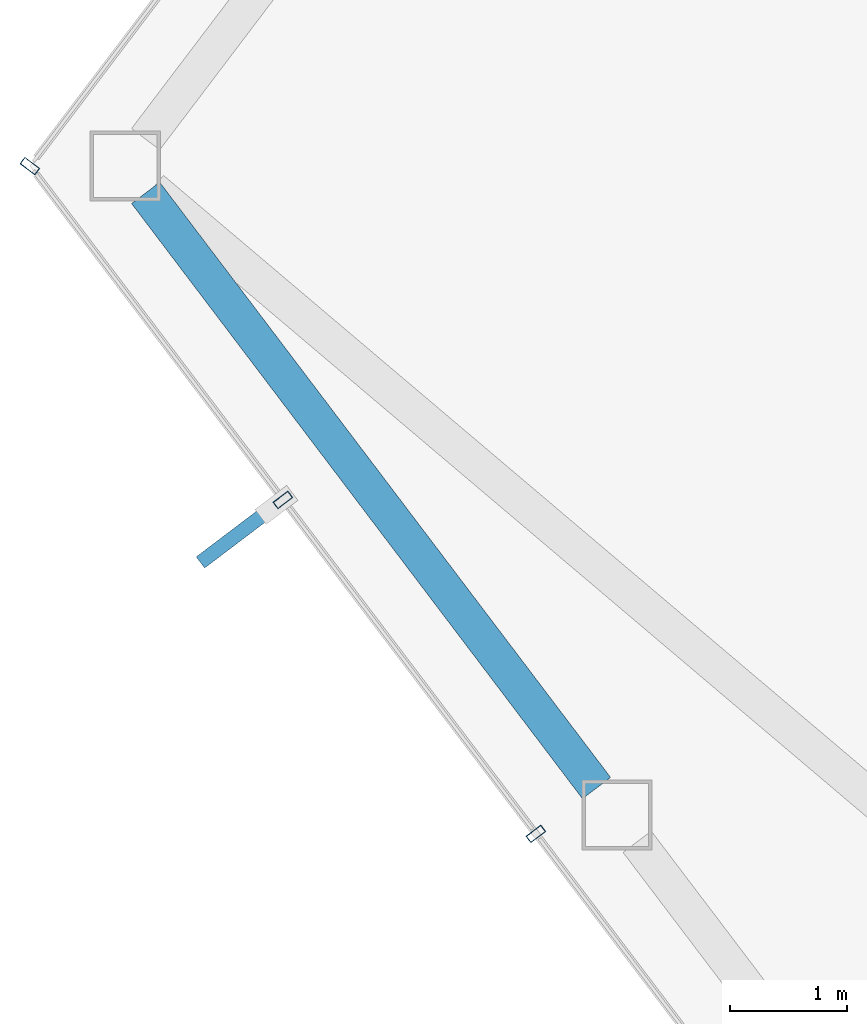
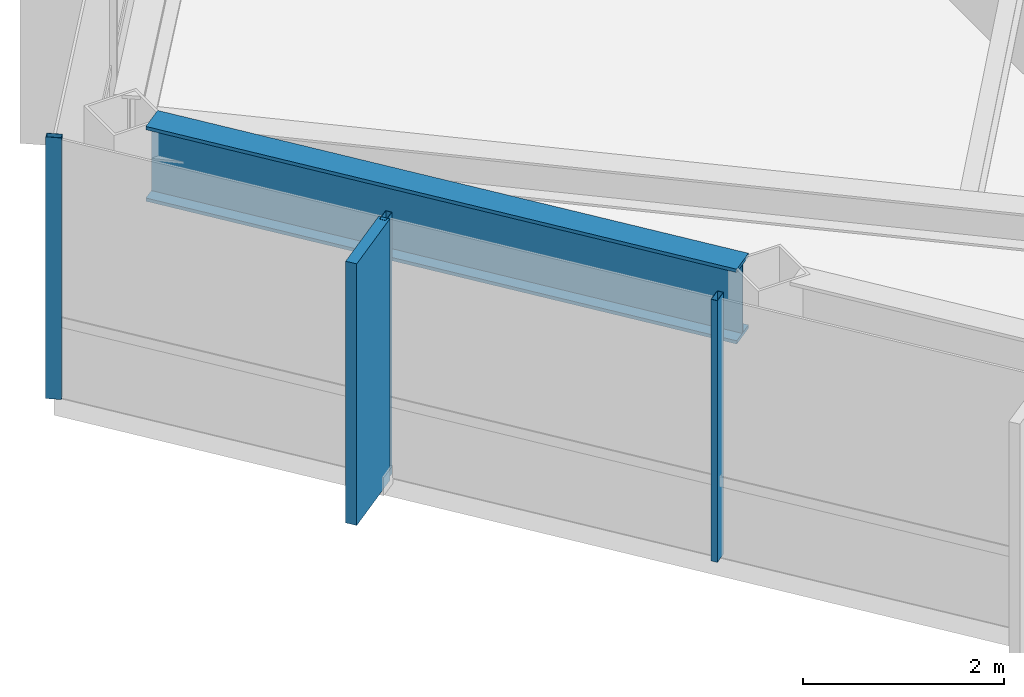
# One storey, part 10 of 27: 4 members, 1 beam, 2 elements without a shape of their own.
"""IFC4 building model written with IfcOpenShell, lengths in metres."""

from ifc_helpers import new_model, si_unit, direction, frame, origin, origin_2d, place, context, subcontext, project, spatial, rectangle, hollow_rectangle, i_section, extrude, material, layer, layer_set, material_profile, profile_set, type_object, element, aggregate, save


model = new_model("IFC4")

# Units and contexts
model_context = context("Model", 3, precision=1e-05, world=origin(), true_north=direction((0.0, 1.0)))
body_context = subcontext(model_context, "Body", "Model", "MODEL_VIEW")
ifc_project = project(units=[si_unit("LENGTHUNIT", "METRE"), si_unit("AREAUNIT", "SQUARE_METRE"), si_unit("VOLUMEUNIT", "CUBIC_METRE"), si_unit("PLANEANGLEUNIT", "RADIAN"), si_unit("MASSUNIT", "GRAM", prefix="KILO")], contexts=[model_context])

# Site, building, storey
site_placement = place(None, origin())
site = spatial("IfcSite", under=ifc_project, at=site_placement, CompositionType="ELEMENT")
building_placement = place(site_placement, origin())
building = spatial("IfcBuilding", under=site, at=building_placement, Name="Zarrinselat Tower", CompositionType="ELEMENT")
storey_placement = place(building_placement, frame((0.0, 0.0, 229.159912109375)))
storey = spatial("IfcBuildingStorey", under=building, at=storey_placement, Name="L57", CompositionType="ELEMENT", Elevation=229.159912109375)

# Beam
ifc_material_1 = material(Name="Steel S460M", Category="steel")
ifc_material_profile_1 = material_profile(ifc_material_1, i_section(OverallWidth=0.302001953125, OverallDepth=0.909912109375, WebThickness=0.02099609375, FlangeThickness=0.0400390625, at=origin_2d()), Name="HEM 900")
ifc_profile_set_1 = profile_set([ifc_material_profile_1], Name="Steel S460M")
beam_type = type_object("IfcBeamType", Name="BM-HEM900", PredefinedType="BEAM", material=ifc_profile_set_1)
beam_placement = place(storey_placement, frame((16.30078125, 40.951904296875, 2.72509765625), z_axis=(0.603865048742, -0.797086571777, 0.0), x_axis=(0.797086571777, 0.603865048742, 0.0)))
element("IfcBeam", 1, at=beam_placement, inside=storey, type_object=beam_type, Name="L57 Perimeter Spandrel Girder SP06", PredefinedType="BEAM", context=body_context, shape_type="SweptSolid", body=[
    extrude(i_section(OverallWidth=0.302001953125, OverallDepth=0.909912109375, WebThickness=0.02099609375, FlangeThickness=0.0400390625, at=origin_2d()), origin(), (0.0, 0.0, 1.0), 6.385986328125),
])

# Curtain wall, member
ifc_material_2 = material(Name="Extruded Aluminium Alloy EN AW-6063 T6", Category="aluminium")
ifc_layer = layer(ifc_material_2, 0.169921875)
ifc_layer_set = layer_set([ifc_layer], Name="Extruded Aluminium Alloy EN AW-6063 T6")
curtain_wall_type = type_object("IfcCurtainWallType", Name="CWS-RES", PredefinedType="NOTDEFINED", material=ifc_layer_set)
curtain_wall_1_placement = place(storey_placement, origin())
curtain_wall_1 = element("IfcCurtainWall", 2, at=curtain_wall_1_placement, inside=storey, type_object=curtain_wall_type, Name="L57 Unitised Curtain Wall CW-L57-E02", PredefinedType="NOTDEFINED")
ifc_material_3 = material(Name="Extruded Aluminium Alloy EN AW-6063 T6", Category="aluminium")
ifc_material_profile_2 = material_profile(ifc_material_3, hollow_rectangle(XDim=0.070068359375, YDim=0.159912109375, WallThickness=0.00390625, at=origin_2d()), Name="RHS 160x70x4")
ifc_profile_set_2 = profile_set([ifc_material_profile_2], Name="Extruded Aluminium Alloy EN AW-6063 T6")
member_type_1 = type_object("IfcMemberType", Name="MEM-CW-MUL2", PredefinedType="MULLION", material=ifc_profile_set_2)
member_1_placement = place(storey_placement, frame((15.311279296875, 41.181396484375, 0.0), z_axis=(0.0, 0.0, 1.0), x_axis=(-0.603855713814, -0.797093643742, 0.0)))
member_1 = element("IfcMember", 3, at=member_1_placement, type_object=member_type_1, Name="CW-L57-E02 Mullion 2", PredefinedType="MULLION", context=body_context, shape_type="SweptSolid", body=[
    extrude(hollow_rectangle(XDim=0.070068359375, YDim=0.159912109375, WallThickness=0.00390625, at=origin_2d()), origin(), (0.0, 0.0, 1.0), 3.18017578125),
])
aggregate(curtain_wall_1, [member_1])

# Curtain wall, members
curtain_wall_2_placement = place(storey_placement, origin())
curtain_wall_2 = element("IfcCurtainWall", 4, at=curtain_wall_2_placement, inside=storey, type_object=curtain_wall_type, Name="L57 Unitised Curtain Wall CW-L57-E03", PredefinedType="NOTDEFINED")
member_2_placement = place(storey_placement, frame((17.474853515625, 38.32568359375, 0.0), z_axis=(0.0, 0.0, 1.0), x_axis=(0.603857419315, -0.7970923517, 0.0)))
member_2 = element("IfcMember", 5, at=member_2_placement, type_object=member_type_1, Name="CW-L57-E03 Mullion 1", PredefinedType="MULLION", context=body_context, shape_type="SweptSolid", body=[
    extrude(hollow_rectangle(XDim=0.070068359375, YDim=0.159912109375, WallThickness=0.00390625, at=origin_2d()), origin(), (0.0, 0.0, 1.0), 3.18017578125),
])
member_3_placement = place(storey_placement, frame((19.638427734375, 35.469482421875, 0.0), z_axis=(0.0, 0.0, 1.0), x_axis=(0.603857419315, -0.7970923517, 0.0)))
member_3 = element("IfcMember", 6, at=member_3_placement, type_object=member_type_1, Name="CW-L57-E03 Mullion 2", PredefinedType="MULLION", context=body_context, shape_type="SweptSolid", body=[
    extrude(hollow_rectangle(XDim=0.070068359375, YDim=0.159912109375, WallThickness=0.00390625, at=origin_2d()), origin(), (0.0, 0.0, 1.0), 3.18017578125),
])
ifc_material_4 = material(Name="Honed Cream Travertine Stone", Category="masonry")
ifc_material_profile_3 = material_profile(ifc_material_4, rectangle(XDim=0.1201171875, YDim=0.85009765625, at=origin_2d()), Name="FIN 850x120")
ifc_profile_set_3 = profile_set([ifc_material_profile_3], Name="Honed Cream Travertine Stone")
member_type_2 = type_object("IfcMemberType", Name="MEM-STONE-FIN", PredefinedType="USERDEFINED", material=ifc_profile_set_3)
member_4_placement = place(storey_placement, frame((17.108154296875, 38.0478515625, 0.0), z_axis=(0.0, 0.0, 1.0), x_axis=(-0.603857419315, 0.7970923517, 0.0)))
member_4 = element("IfcMember", 7, at=member_4_placement, type_object=member_type_2, Name="L57 Stone Shading Fin CW-L57-E03-01", ObjectType="FIN", PredefinedType="USERDEFINED", context=body_context, shape_type="SweptSolid", body=[
    extrude(rectangle(XDim=0.1201171875, YDim=0.85009765625, at=origin_2d()), origin(), (0.0, 0.0, 1.0), 3.18017578125),
])
aggregate(curtain_wall_2, [member_2, member_4, member_3])

save(model, "model.ifc")
